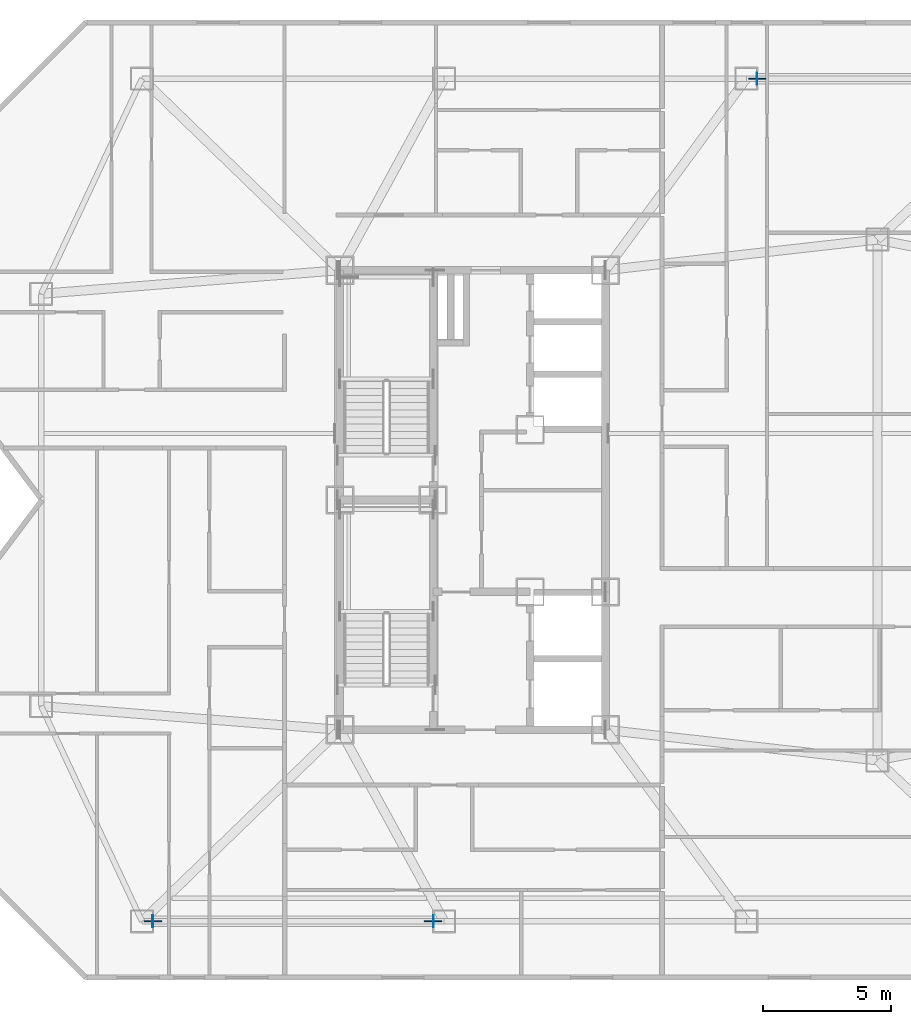
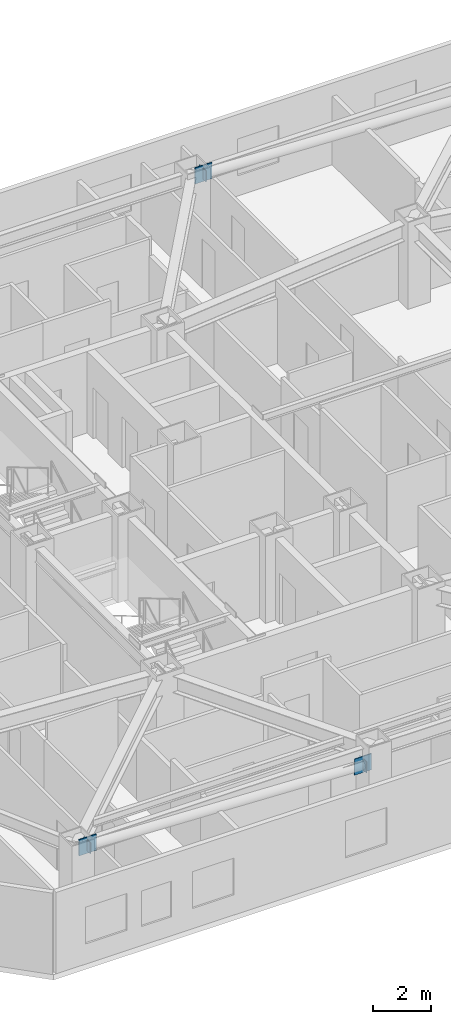
# One storey, part 3 of 11: 6 plates.
"""IFC4 building model written with IfcOpenShell, lengths in metres."""

from ifc_helpers import new_model, si_unit, direction, frame, origin, origin_2d, place, context, subcontext, project, spatial, rectangle, extrude, material, layer, layer_set, type_object, element, save


model = new_model("IFC4")

# Units and contexts
model_context = context("Model", 3, precision=1e-05, world=origin(), true_north=direction((0.0, 1.0)))
body_context = subcontext(model_context, "Body", "Model", "MODEL_VIEW")
ifc_project = project(units=[si_unit("LENGTHUNIT", "METRE"), si_unit("AREAUNIT", "SQUARE_METRE"), si_unit("VOLUMEUNIT", "CUBIC_METRE"), si_unit("PLANEANGLEUNIT", "RADIAN"), si_unit("MASSUNIT", "GRAM", prefix="KILO")], contexts=[model_context])

# Site, building, storey
site_placement = place(None, origin())
site = spatial("IfcSite", under=ifc_project, at=site_placement, CompositionType="ELEMENT")
building_placement = place(site_placement, origin())
building = spatial("IfcBuilding", under=site, at=building_placement, Name="Khamvora Tower", CompositionType="ELEMENT")
storey_placement = place(building_placement, frame((0.0, 0.0, 185.10009765625)))
storey = spatial("IfcBuildingStorey", under=building, at=storey_placement, Name="L47", CompositionType="ELEMENT", Elevation=185.10009765625)

# Plates
ifc_material_1 = material(Name="Steel S355", Category="steel")
ifc_layer_1 = layer(ifc_material_1, 0.02490234375)
ifc_layer_set_1 = layer_set([ifc_layer_1], Name="Steel S355")
plate_type_1 = type_object("IfcPlateType", Name="PL-CAP-25", PredefinedType="SHEET", material=ifc_layer_set_1)
for number, where, z_axis, x_axis, name in (
    (1, (32.6650390625, 11.5, 2.4638671875), (0.0, 0.0, 1.0), (-1.0, 0.0, 0.0), "L47 hollow section steel end cap plate 0968"),
    (2, (21.66796875, 11.5, 2.912109375), (0.0, 0.0, 1.0), (-1.0, 0.0, 0.0), "L47 hollow section steel end cap plate 0969"),
    (3, (45.3349609375, 44.5, 2.912109375), (0.0, 0.0, 1.0), (-1.0, 0.0, 0.0), "L47 hollow section steel end cap plate 0971"),
):
    element("IfcPlate", number, at=place(storey_placement, frame(where, z_axis=z_axis, x_axis=x_axis)), inside=storey, type_object=plate_type_1, Name=name, PredefinedType="SHEET", context=body_context, shape_type="SweptSolid", body=[
        extrude(rectangle(XDim=0.02490234375, YDim=0.466064453125, at=origin_2d()), origin(), (0.0, 0.0, 1.0), 0.466064453125),
    ])
ifc_material_2 = material(Name="Steel S460", Category="steel")
ifc_layer_2 = layer(ifc_material_2, 0.0400390625)
ifc_layer_set_2 = layer_set([ifc_layer_2], Name="Steel S460")
plate_type_2 = type_object("IfcPlateType", Name="PLT-GUS-40", PredefinedType="SHEET", material=ifc_layer_set_2)
for number, where, z_axis, x_axis, name in (
    (4, (32.653076171875, 11.5, 2.35791015625), (0.0, 0.0, 1.0), (1.0, 0.0, 0.0), "L47 brace connection node gusset plate 0305"),
    (5, (21.679931640625, 11.5, 2.8037109375), (0.0, 0.0, 1.0), (1.0, 0.0, 0.0), "L47 brace connection node gusset plate 0306"),
    (6, (45.346923828125, 44.5, 2.8037109375), (0.0, 0.0, 1.0), (1.0, 0.0, 0.0), "L47 brace connection node gusset plate 0308"),
):
    element("IfcPlate", number, at=place(storey_placement, frame(where, z_axis=z_axis, x_axis=x_axis)), inside=storey, type_object=plate_type_2, Name=name, PredefinedType="SHEET", context=body_context, shape_type="SweptSolid", body=[
        extrude(rectangle(XDim=0.679931640625, YDim=0.0400390625, at=origin_2d()), origin(), (0.0, 0.0, 1.0), 0.679931640625),
    ])

save(model, "model.ifc")
